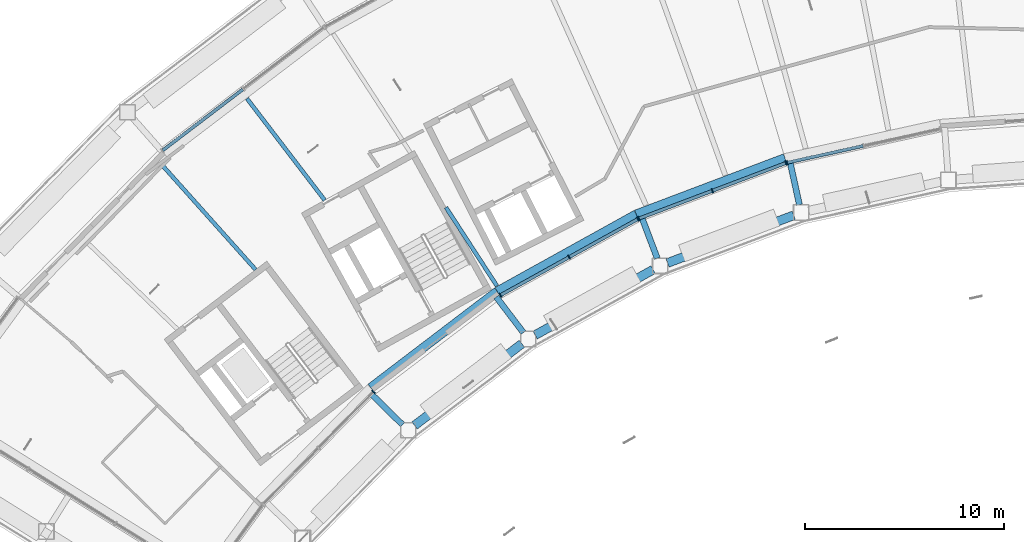
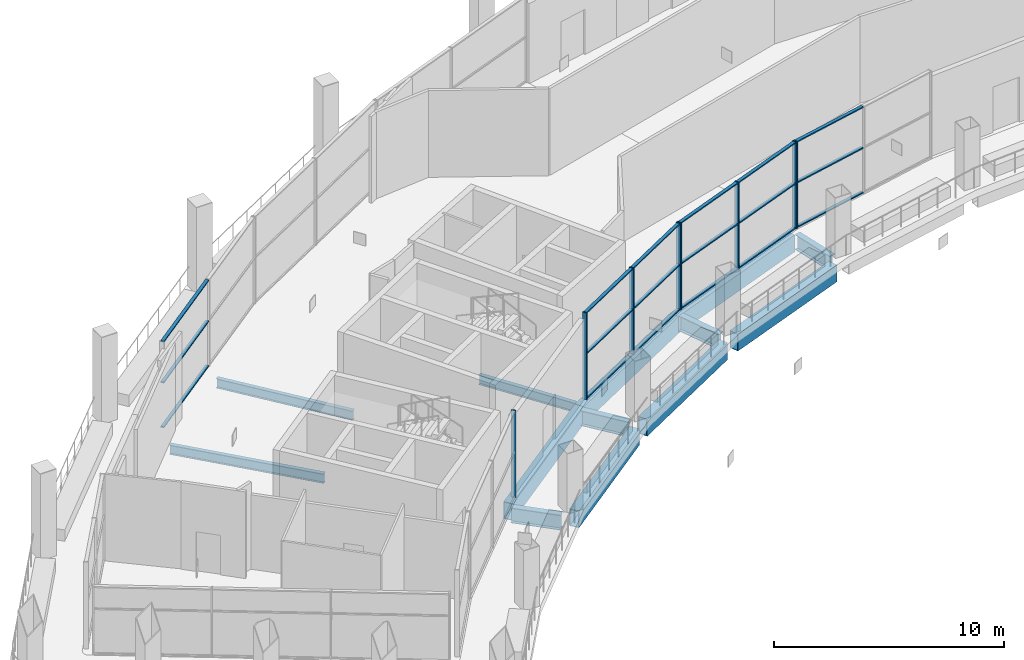
# One storey, part 4 of 29: 26 members, 13 beams, 5 elements without a shape of their own.
"""IFC4 building model written with IfcOpenShell, lengths in metres."""

from ifc_helpers import new_model, si_unit, direction, frame, origin, origin_2d, place, context, subcontext, project, spatial, rectangle, hollow_rectangle, i_section, extrude, material, layer, layer_set, material_profile, profile_set, type_object, element, aggregate, save


model = new_model("IFC4")

# Units and contexts
model_context = context("Model", 3, precision=1e-05, world=origin(), true_north=direction((0.0, 1.0)))
body_context = subcontext(model_context, "Body", "Model", "MODEL_VIEW")
ifc_project = project(units=[si_unit("LENGTHUNIT", "METRE"), si_unit("AREAUNIT", "SQUARE_METRE"), si_unit("VOLUMEUNIT", "CUBIC_METRE"), si_unit("PLANEANGLEUNIT", "RADIAN"), si_unit("MASSUNIT", "GRAM", prefix="KILO")], contexts=[model_context])

# Site, building, storey
site_placement = place(None, origin())
site = spatial("IfcSite", under=ifc_project, at=site_placement, CompositionType="ELEMENT")
building_placement = place(site_placement, origin())
building = spatial("IfcBuilding", under=site, at=building_placement, Name="Tuul Gate Civic Tower", CompositionType="ELEMENT")
storey_placement = place(building_placement, frame((0.0, 0.0, 238.89990234375)))
storey = spatial("IfcBuildingStorey", under=building, at=storey_placement, Name="Sky garden level 2", CompositionType="ELEMENT", Elevation=238.89990234375)

# Curtain wall, member
ifc_material_1 = material(Name="Aluminium", Category="aluminium")
ifc_layer = layer(ifc_material_1, 0.199951171875)
ifc_layer_set = layer_set([ifc_layer], Name="Aluminium")
curtain_wall_type = type_object("IfcCurtainWallType", Name="Curtain wall CW3", PredefinedType="NOTDEFINED", material=ifc_layer_set)
curtain_wall_1_placement = place(storey_placement, origin())
curtain_wall_1 = element("IfcCurtainWall", 1, at=curtain_wall_1_placement, inside=storey, type_object=curtain_wall_type, Name="Curtain wall CW3", PredefinedType="NOTDEFINED")
ifc_material_2 = material(Name="Aluminium", Category="aluminium")
ifc_material_profile_1 = material_profile(ifc_material_2, rectangle(XDim=0.219970703125, YDim=0.06005859375, at=origin_2d()), Name="CW3 mullion")
ifc_profile_set_1 = profile_set([ifc_material_profile_1], Name="Aluminium")
member_type_1 = type_object("IfcMemberType", Name="CW3 mullion", PredefinedType="MULLION", material=ifc_profile_set_1)
member_1_placement = place(storey_placement, frame((-30.572998046875, -14.00439453125, 0.0), z_axis=(0.0, 0.0, 1.0), x_axis=(-0.714099902117, 0.700043805627, 0.0)))
member_1 = element("IfcMember", 2, at=member_1_placement, type_object=member_type_1, Name="Mullion", PredefinedType="MULLION", context=body_context, shape_type="SweptSolid", body=[
    extrude(rectangle(XDim=0.219970703125, YDim=0.06005859375, at=origin_2d()), origin(), (0.0, 0.0, 1.0), 4.60009765625),
])
aggregate(curtain_wall_1, [member_1])

# Curtain wall, members
curtain_wall_2_placement = place(storey_placement, origin())
curtain_wall_2 = element("IfcCurtainWall", 3, at=curtain_wall_2_placement, inside=storey, type_object=curtain_wall_type, Name="Curtain wall CW3", PredefinedType="NOTDEFINED")
member_2_placement = place(storey_placement, frame((-24.185791015625, -9.141357421875, 0.0), z_axis=(0.0, 0.0, 1.0), x_axis=(-0.484811561479, 0.874618631094, 0.0)))
member_2 = element("IfcMember", 4, at=member_2_placement, type_object=member_type_1, Name="Mullion", PredefinedType="MULLION", context=body_context, shape_type="SweptSolid", body=[
    extrude(rectangle(XDim=0.219970703125, YDim=0.06005859375, at=origin_2d()), origin(), (0.0, 0.0, 1.0), 4.60009765625),
])
member_3_placement = place(storey_placement, frame((-20.7275390625, -7.224609375, 0.0), z_axis=(0.0, 0.0, 1.0), x_axis=(-0.484811561479, 0.874618631094, 0.0)))
member_3 = element("IfcMember", 5, at=member_3_placement, type_object=member_type_1, Name="Mullion", PredefinedType="MULLION", context=body_context, shape_type="SweptSolid", body=[
    extrude(rectangle(XDim=0.219970703125, YDim=0.06005859375, at=origin_2d()), origin(), (0.0, 0.0, 1.0), 4.60009765625),
])
member_4_placement = place(storey_placement, frame((-17.269287109375, -5.3076171875, 0.0), z_axis=(0.0, 0.0, 1.0), x_axis=(-0.484811561479, 0.874618631094, 0.0)))
member_4 = element("IfcMember", 6, at=member_4_placement, type_object=member_type_1, Name="Mullion", PredefinedType="MULLION", context=body_context, shape_type="SweptSolid", body=[
    extrude(rectangle(XDim=0.219970703125, YDim=0.06005859375, at=origin_2d()), origin(), (0.0, 0.0, 1.0), 4.60009765625),
])

curtain_wall_3_placement = place(storey_placement, origin())
curtain_wall_3 = element("IfcCurtainWall", 7, at=curtain_wall_3_placement, inside=storey, type_object=curtain_wall_type, Name="Curtain wall CW3", PredefinedType="NOTDEFINED")
member_5_placement = place(storey_placement, frame((-17.21484375, -5.282470703125, 0.0), z_axis=(0.0, 0.0, 1.0), x_axis=(-0.353734858569, 0.935345738127, 0.0)))
member_5 = element("IfcMember", 8, at=member_5_placement, type_object=member_type_1, Name="Mullion", PredefinedType="MULLION", context=body_context, shape_type="SweptSolid", body=[
    extrude(rectangle(XDim=0.219970703125, YDim=0.06005859375, at=origin_2d()), origin(), (0.0, 0.0, 1.0), 4.60009765625),
])
member_6_placement = place(storey_placement, frame((-13.51611328125, -3.883544921875, 0.0), z_axis=(0.0, 0.0, 1.0), x_axis=(-0.353734858569, 0.935345738127, 0.0)))
member_6 = element("IfcMember", 9, at=member_6_placement, type_object=member_type_1, Name="Mullion", PredefinedType="MULLION", context=body_context, shape_type="SweptSolid", body=[
    extrude(rectangle(XDim=0.219970703125, YDim=0.06005859375, at=origin_2d()), origin(), (0.0, 0.0, 1.0), 4.60009765625),
])
member_7_placement = place(storey_placement, frame((-9.817138671875, -2.484619140625, 0.0), z_axis=(0.0, 0.0, 1.0), x_axis=(-0.353734858569, 0.935345738127, 0.0)))
member_7 = element("IfcMember", 10, at=member_7_placement, type_object=member_type_1, Name="Mullion", PredefinedType="MULLION", context=body_context, shape_type="SweptSolid", body=[
    extrude(rectangle(XDim=0.219970703125, YDim=0.06005859375, at=origin_2d()), origin(), (0.0, 0.0, 1.0), 4.60009765625),
])

# Curtain wall, member
curtain_wall_4_placement = place(storey_placement, origin())
curtain_wall_4 = element("IfcCurtainWall", 11, at=curtain_wall_4_placement, inside=storey, type_object=curtain_wall_type, Name="Curtain wall CW3", PredefinedType="NOTDEFINED")
member_8_placement = place(storey_placement, frame((-9.759765625, -2.467529296875, 0.0), z_axis=(0.0, 0.0, 1.0), x_axis=(-0.215242449721, 0.976560642171, 0.0)))
member_8 = element("IfcMember", 12, at=member_8_placement, type_object=member_type_1, Name="Mullion", PredefinedType="MULLION", context=body_context, shape_type="SweptSolid", body=[
    extrude(rectangle(XDim=0.219970703125, YDim=0.06005859375, at=origin_2d()), origin(), (0.0, 0.0, 1.0), 4.60009765625),
])

# Curtain wall, members
curtain_wall_5_placement = place(storey_placement, origin())
curtain_wall_5 = element("IfcCurtainWall", 13, at=curtain_wall_5_placement, inside=storey, type_object=curtain_wall_type, Name="Curtain wall CW3", PredefinedType="NOTDEFINED")
ifc_material_3 = material(Name="Aluminium", Category="aluminium")
ifc_material_profile_2 = material_profile(ifc_material_3, rectangle(XDim=0.159912109375, YDim=0.06005859375, at=origin_2d()), Name="CW3 transom")
ifc_profile_set_2 = profile_set([ifc_material_profile_2], Name="Aluminium")
member_type_2 = type_object("IfcMemberType", Name="CW3 transom", PredefinedType="USERDEFINED", material=ifc_profile_set_2)
member_9_placement = place(storey_placement, frame((-37.158935546875, 1.221923828125, 0.030029296875), z_axis=(-0.795625482413, -0.60578881777, 0.0), x_axis=(0.60578881777, -0.795625482413, 0.0)))
member_9 = element("IfcMember", 14, at=member_9_placement, type_object=member_type_2, Name="Transom", ObjectType="TRANSOM", PredefinedType="USERDEFINED", context=body_context, shape_type="SweptSolid", body=[
    extrude(rectangle(XDim=0.159912109375, YDim=0.06005859375, at=origin_2d()), origin(), (0.0, 0.0, 1.0), 5.060546875),
])
member_10_placement = place(storey_placement, frame((-37.158935546875, 1.221923828125, 2.400146484375), z_axis=(-0.795625482413, -0.60578881777, 0.0), x_axis=(0.60578881777, -0.795625482413, 0.0)))
member_10 = element("IfcMember", 15, at=member_10_placement, type_object=member_type_2, Name="Transom", ObjectType="TRANSOM", PredefinedType="USERDEFINED", context=body_context, shape_type="SweptSolid", body=[
    extrude(rectangle(XDim=0.159912109375, YDim=0.06005859375, at=origin_2d()), origin(), (0.0, 0.0, 1.0), 5.060546875),
])
member_11_placement = place(storey_placement, frame((-37.158935546875, 1.221923828125, 4.570068359375), z_axis=(-0.795625482413, -0.60578881777, 0.0), x_axis=(0.60578881777, -0.795625482413, 0.0)))
member_11 = element("IfcMember", 16, at=member_11_placement, type_object=member_type_2, Name="Transom", ObjectType="TRANSOM", PredefinedType="USERDEFINED", context=body_context, shape_type="SweptSolid", body=[
    extrude(rectangle(XDim=0.159912109375, YDim=0.06005859375, at=origin_2d()), origin(), (0.0, 0.0, 1.0), 5.060546875),
])
aggregate(curtain_wall_5, [member_9, member_10, member_11])

# Member
member_12_placement = place(storey_placement, frame((-24.159423828125, -9.126953125, 0.030029296875), z_axis=(0.874609372643, 0.484828263702, 0.0), x_axis=(-0.484828263702, 0.874609372643, 0.0)))
member_12 = element("IfcMember", 17, at=member_12_placement, type_object=member_type_2, Name="Transom", ObjectType="TRANSOM", PredefinedType="USERDEFINED", context=body_context, shape_type="SweptSolid", body=[
    extrude(rectangle(XDim=0.159912109375, YDim=0.06005859375, at=origin_2d()), origin(), (0.0, 0.0, 1.0), 3.89404296875),
])

member_13_placement = place(storey_placement, frame((-24.159423828125, -9.126953125, 2.400146484375), z_axis=(0.874609372643, 0.484828263702, 0.0), x_axis=(-0.484828263702, 0.874609372643, 0.0)))
member_13 = element("IfcMember", 18, at=member_13_placement, type_object=member_type_2, Name="Transom", ObjectType="TRANSOM", PredefinedType="USERDEFINED", context=body_context, shape_type="SweptSolid", body=[
    extrude(rectangle(XDim=0.159912109375, YDim=0.06005859375, at=origin_2d()), origin(), (0.0, 0.0, 1.0), 3.89404296875),
])

member_14_placement = place(storey_placement, frame((-24.159423828125, -9.126953125, 4.570068359375), z_axis=(0.874609372643, 0.484828263702, 0.0), x_axis=(-0.484828263702, 0.874609372643, 0.0)))
member_14 = element("IfcMember", 19, at=member_14_placement, type_object=member_type_2, Name="Transom", ObjectType="TRANSOM", PredefinedType="USERDEFINED", context=body_context, shape_type="SweptSolid", body=[
    extrude(rectangle(XDim=0.159912109375, YDim=0.06005859375, at=origin_2d()), origin(), (0.0, 0.0, 1.0), 3.89404296875),
])

member_15_placement = place(storey_placement, frame((-20.701171875, -7.2099609375, 0.030029296875), z_axis=(0.874609372643, 0.484828263702, 0.0), x_axis=(-0.484828263702, 0.874609372643, 0.0)))
member_15 = element("IfcMember", 20, at=member_15_placement, type_object=member_type_2, Name="Transom", ObjectType="TRANSOM", PredefinedType="USERDEFINED", context=body_context, shape_type="SweptSolid", body=[
    extrude(rectangle(XDim=0.159912109375, YDim=0.06005859375, at=origin_2d()), origin(), (0.0, 0.0, 1.0), 3.89404296875),
])

member_16_placement = place(storey_placement, frame((-20.701171875, -7.2099609375, 2.400146484375), z_axis=(0.874609372643, 0.484828263702, 0.0), x_axis=(-0.484828263702, 0.874609372643, 0.0)))
member_16 = element("IfcMember", 21, at=member_16_placement, type_object=member_type_2, Name="Transom", ObjectType="TRANSOM", PredefinedType="USERDEFINED", context=body_context, shape_type="SweptSolid", body=[
    extrude(rectangle(XDim=0.159912109375, YDim=0.06005859375, at=origin_2d()), origin(), (0.0, 0.0, 1.0), 3.89404296875),
])

member_17_placement = place(storey_placement, frame((-20.701171875, -7.2099609375, 4.570068359375), z_axis=(0.874609372643, 0.484828263702, 0.0), x_axis=(-0.484828263702, 0.874609372643, 0.0)))
member_17 = element("IfcMember", 22, at=member_17_placement, type_object=member_type_2, Name="Transom", ObjectType="TRANSOM", PredefinedType="USERDEFINED", context=body_context, shape_type="SweptSolid", body=[
    extrude(rectangle(XDim=0.159912109375, YDim=0.06005859375, at=origin_2d()), origin(), (0.0, 0.0, 1.0), 3.89404296875),
])

aggregate(curtain_wall_2, [member_2, member_3, member_4, member_12, member_13, member_14, member_15, member_16, member_17])

member_18_placement = place(storey_placement, frame((-17.186767578125, -5.271728515625, 0.030029296875), z_axis=(0.935344004623, 0.353739442268, 0.0), x_axis=(-0.353739442268, 0.935344004623, 0.0)))
member_18 = element("IfcMember", 23, at=member_18_placement, type_object=member_type_2, Name="Transom", ObjectType="TRANSOM", PredefinedType="USERDEFINED", context=body_context, shape_type="SweptSolid", body=[
    extrude(rectangle(XDim=0.159912109375, YDim=0.06005859375, at=origin_2d()), origin(), (0.0, 0.0, 1.0), 3.89453125),
])

member_19_placement = place(storey_placement, frame((-17.186767578125, -5.271728515625, 2.400146484375), z_axis=(0.935344004623, 0.353739442268, 0.0), x_axis=(-0.353739442268, 0.935344004623, 0.0)))
member_19 = element("IfcMember", 24, at=member_19_placement, type_object=member_type_2, Name="Transom", ObjectType="TRANSOM", PredefinedType="USERDEFINED", context=body_context, shape_type="SweptSolid", body=[
    extrude(rectangle(XDim=0.159912109375, YDim=0.06005859375, at=origin_2d()), origin(), (0.0, 0.0, 1.0), 3.89453125),
])

member_20_placement = place(storey_placement, frame((-17.186767578125, -5.271728515625, 4.570068359375), z_axis=(0.935344004623, 0.353739442268, 0.0), x_axis=(-0.353739442268, 0.935344004623, 0.0)))
member_20 = element("IfcMember", 25, at=member_20_placement, type_object=member_type_2, Name="Transom", ObjectType="TRANSOM", PredefinedType="USERDEFINED", context=body_context, shape_type="SweptSolid", body=[
    extrude(rectangle(XDim=0.159912109375, YDim=0.06005859375, at=origin_2d()), origin(), (0.0, 0.0, 1.0), 3.89453125),
])

member_21_placement = place(storey_placement, frame((-13.488037109375, -3.872802734375, 0.030029296875), z_axis=(0.935344004623, 0.353739442268, 0.0), x_axis=(-0.353739442268, 0.935344004623, 0.0)))
member_21 = element("IfcMember", 26, at=member_21_placement, type_object=member_type_2, Name="Transom", ObjectType="TRANSOM", PredefinedType="USERDEFINED", context=body_context, shape_type="SweptSolid", body=[
    extrude(rectangle(XDim=0.159912109375, YDim=0.06005859375, at=origin_2d()), origin(), (0.0, 0.0, 1.0), 3.89453125),
])

member_22_placement = place(storey_placement, frame((-13.488037109375, -3.872802734375, 2.400146484375), z_axis=(0.935344004623, 0.353739442268, 0.0), x_axis=(-0.353739442268, 0.935344004623, 0.0)))
member_22 = element("IfcMember", 27, at=member_22_placement, type_object=member_type_2, Name="Transom", ObjectType="TRANSOM", PredefinedType="USERDEFINED", context=body_context, shape_type="SweptSolid", body=[
    extrude(rectangle(XDim=0.159912109375, YDim=0.06005859375, at=origin_2d()), origin(), (0.0, 0.0, 1.0), 3.89453125),
])

member_23_placement = place(storey_placement, frame((-13.488037109375, -3.872802734375, 4.570068359375), z_axis=(0.935344004623, 0.353739442268, 0.0), x_axis=(-0.353739442268, 0.935344004623, 0.0)))
member_23 = element("IfcMember", 28, at=member_23_placement, type_object=member_type_2, Name="Transom", ObjectType="TRANSOM", PredefinedType="USERDEFINED", context=body_context, shape_type="SweptSolid", body=[
    extrude(rectangle(XDim=0.159912109375, YDim=0.06005859375, at=origin_2d()), origin(), (0.0, 0.0, 1.0), 3.89453125),
])

aggregate(curtain_wall_3, [member_5, member_6, member_7, member_18, member_19, member_20, member_21, member_22, member_23])

member_24_placement = place(storey_placement, frame((-9.73046875, -2.461181640625, 0.030029296875), z_axis=(0.976561771852, 0.215237324266, 0.0), x_axis=(-0.215237324266, 0.976561771852, 0.0)))
member_24 = element("IfcMember", 29, at=member_24_placement, type_object=member_type_2, Name="Transom", ObjectType="TRANSOM", PredefinedType="USERDEFINED", context=body_context, shape_type="SweptSolid", body=[
    extrude(rectangle(XDim=0.159912109375, YDim=0.06005859375, at=origin_2d()), origin(), (0.0, 0.0, 1.0), 3.89404296875),
])

member_25_placement = place(storey_placement, frame((-9.73046875, -2.461181640625, 2.400146484375), z_axis=(0.976561771852, 0.215237324266, 0.0), x_axis=(-0.215237324266, 0.976561771852, 0.0)))
member_25 = element("IfcMember", 30, at=member_25_placement, type_object=member_type_2, Name="Transom", ObjectType="TRANSOM", PredefinedType="USERDEFINED", context=body_context, shape_type="SweptSolid", body=[
    extrude(rectangle(XDim=0.159912109375, YDim=0.06005859375, at=origin_2d()), origin(), (0.0, 0.0, 1.0), 3.89404296875),
])

member_26_placement = place(storey_placement, frame((-9.73046875, -2.461181640625, 4.570068359375), z_axis=(0.976561771852, 0.215237324266, 0.0), x_axis=(-0.215237324266, 0.976561771852, 0.0)))
member_26 = element("IfcMember", 31, at=member_26_placement, type_object=member_type_2, Name="Transom", ObjectType="TRANSOM", PredefinedType="USERDEFINED", context=body_context, shape_type="SweptSolid", body=[
    extrude(rectangle(XDim=0.159912109375, YDim=0.06005859375, at=origin_2d()), origin(), (0.0, 0.0, 1.0), 3.89404296875),
])

aggregate(curtain_wall_4, [member_8, member_24, member_25, member_26])

# Beams
ifc_material_4 = material(Name="Steel S355", Category="steel")
ifc_material_profile_3 = material_profile(ifc_material_4, i_section(OverallWidth=0.199951171875, OverallDepth=0.5, WebThickness=0.010009765625, FlangeThickness=0.01611328125, at=origin_2d()), Name="PG500x200x10x16")
ifc_profile_set_3 = profile_set([ifc_material_profile_3], Name="Steel S355")
beam_type_1 = type_object("IfcBeamType", Name="STR-FLOOR BEAM-PG500x200x10x16", PredefinedType="BEAM", material=ifc_profile_set_3)
beam_1_placement = place(storey_placement, frame((-24.362548828125, -8.667724609375, -0.64990234375), z_axis=(-0.544611125414, 0.838688691992, 0.0), x_axis=(-0.838688691992, -0.544611125414, 0.0)))
element("IfcBeam", 32, at=beam_1_placement, inside=storey, type_object=beam_type_1, Name="Floor beam", PredefinedType="BEAM", context=body_context, shape_type="SweptSolid", body=[
    extrude(i_section(OverallWidth=0.199951171875, OverallDepth=0.5, WebThickness=0.010009765625, FlangeThickness=0.01611328125, at=origin_2d()), origin(), (0.0, 0.0, 1.0), 4.709716796875),
])
beam_2_placement = place(storey_placement, frame((-33.03369140625, -4.353515625, -0.64990234375), z_axis=(-0.607331809841, 0.794448281989, 0.0), x_axis=(-0.794448281989, -0.607331809841, 0.0)))
element("IfcBeam", 33, at=beam_2_placement, inside=storey, type_object=beam_type_1, Name="Floor beam", PredefinedType="BEAM", context=body_context, shape_type="SweptSolid", body=[
    extrude(i_section(OverallWidth=0.199951171875, OverallDepth=0.5, WebThickness=0.010009765625, FlangeThickness=0.01611328125, at=origin_2d()), origin(), (0.0, 0.0, 1.0), 6.43505859375),
])
beam_3_placement = place(storey_placement, frame((-36.5087890625, -7.8525390625, -0.64990234375), z_axis=(-0.66649601165, 0.745508595829, 0.0), x_axis=(-0.745508595829, -0.66649601165, 0.0)))
element("IfcBeam", 34, at=beam_3_placement, inside=storey, type_object=beam_type_1, Name="Floor beam", PredefinedType="BEAM", context=body_context, shape_type="SweptSolid", body=[
    extrude(i_section(OverallWidth=0.199951171875, OverallDepth=0.5, WebThickness=0.010009765625, FlangeThickness=0.01611328125, at=origin_2d()), origin(), (0.0, 0.0, 1.0), 7.069580078125),
])
ifc_material_5 = material(Name="Steel S355", Category="steel")
ifc_material_profile_4 = material_profile(ifc_material_5, i_section(OverallWidth=0.300048828125, OverallDepth=0.800048828125, WebThickness=0.013916015625, FlangeThickness=0.02490234375, at=origin_2d()), Name="PG800x300x14x25")
ifc_profile_set_4 = profile_set([ifc_material_profile_4], Name="Steel S355")
beam_type_2 = type_object("IfcBeamType", Name="STR-FLOOR BEAM-PG800x300x14x25", PredefinedType="BEAM", material=ifc_profile_set_4)
beam_4_placement = place(storey_placement, frame((-29.112548828125, -15.657958984375, -0.7998046875), z_axis=(-0.714124955806, 0.700018247973, 0.0), x_axis=(-0.700018247973, -0.714124955806, 0.0)))
element("IfcBeam", 35, at=beam_4_placement, inside=storey, type_object=beam_type_2, Name="Terrace beam", PredefinedType="BEAM", context=body_context, shape_type="SweptSolid", body=[
    extrude(i_section(OverallWidth=0.300048828125, OverallDepth=0.800048828125, WebThickness=0.013916015625, FlangeThickness=0.02490234375, at=origin_2d()), origin(), (0.0, 0.0, 1.0), 2.249755859375),
])
beam_5_placement = place(storey_placement, frame((-23.029296875, -11.020751953125, -0.7998046875), z_axis=(-0.605833988023, 0.795591087781, 0.0), x_axis=(-0.795591087781, -0.605833988023, 0.0)))
element("IfcBeam", 36, at=beam_5_placement, inside=storey, type_object=beam_type_2, Name="Terrace beam", PredefinedType="BEAM", context=body_context, shape_type="SweptSolid", body=[
    extrude(i_section(OverallWidth=0.300048828125, OverallDepth=0.800048828125, WebThickness=0.013916015625, FlangeThickness=0.02490234375, at=origin_2d()), origin(), (0.0, 0.0, 1.0), 2.250244140625),
])
for number, where, z_axis, x_axis, name in (
    (37, (-16.28857421875, -7.283935546875, -0.7998046875), (-0.353666379486, 0.935371633107, 0.0), (-0.935371633107, -0.353666379486, 0.0), "Terrace beam"),
    (38, (-9.132080078125, -4.582275390625, -0.7998046875), (-0.215230137516, 0.976563355807, 0.0), (-0.976563355807, -0.215230137516, 0.0), "Terrace beam"),
):
    element("IfcBeam", number, at=place(storey_placement, frame(where, z_axis=z_axis, x_axis=x_axis)), inside=storey, type_object=beam_type_2, Name=name, PredefinedType="BEAM", context=body_context, shape_type="SweptSolid", body=[
        extrude(i_section(OverallWidth=0.300048828125, OverallDepth=0.800048828125, WebThickness=0.013916015625, FlangeThickness=0.02490234375, at=origin_2d()), origin(), (0.0, 0.0, 1.0), 2.25048828125),
    ])
ifc_material_6 = material(Name="Steel S355", Category="steel")
ifc_material_profile_5 = material_profile(ifc_material_6, hollow_rectangle(XDim=0.449951171875, YDim=0.89990234375, WallThickness=0.02490234375, at=origin_2d()), Name="BOX900x450x25")
ifc_profile_set_5 = profile_set([ifc_material_profile_5], Name="Steel S355")
beam_type_3 = type_object("IfcBeamType", Name="STR-SPANDREL BEAM-BOX900x450x25", PredefinedType="BEAM", material=ifc_profile_set_5)
beam_6_placement = place(storey_placement, frame((-9.861328125, -2.233642578125, -0.849853515625), z_axis=(-0.935347904159, -0.353729131095, 0.0), x_axis=(0.353729131095, -0.935347904159, 0.0)))
element("IfcBeam", 39, at=beam_6_placement, inside=storey, type_object=beam_type_3, Name="Spandrel beam", PredefinedType="BEAM", context=body_context, shape_type="SweptSolid", body=[
    extrude(hollow_rectangle(XDim=0.449951171875, YDim=0.89990234375, WallThickness=0.02490234375, at=origin_2d()), origin(), (0.0, 0.0, 1.0), 8.0048828125),
])
beam_7_placement = place(storey_placement, frame((-17.3486328125, -5.065185546875, -0.849853515625), z_axis=(-0.874591409354, -0.484860667289, 0.0), x_axis=(0.484860667289, -0.874591409354, 0.0)))
element("IfcBeam", 40, at=beam_7_placement, inside=storey, type_object=beam_type_3, Name="Spandrel beam", PredefinedType="BEAM", context=body_context, shape_type="SweptSolid", body=[
    extrude(hollow_rectangle(XDim=0.449951171875, YDim=0.89990234375, WallThickness=0.02490234375, at=origin_2d()), origin(), (0.0, 0.0, 1.0), 8.004638671875),
])
beam_8_placement = place(storey_placement, frame((-24.349365234375, -8.9462890625, -0.849853515625), z_axis=(-0.795589936965, -0.60583549929, 0.0), x_axis=(0.60583549929, -0.795589936965, 0.0)))
element("IfcBeam", 41, at=beam_8_placement, inside=storey, type_object=beam_type_3, Name="Spandrel beam", PredefinedType="BEAM", context=body_context, shape_type="SweptSolid", body=[
    extrude(hollow_rectangle(XDim=0.449951171875, YDim=0.89990234375, WallThickness=0.02490234375, at=origin_2d()), origin(), (0.0, 0.0, 1.0), 8.00390625),
])
beam_9_placement = place(storey_placement, frame((-28.5087890625, -15.69580078125, -0.849853515625), z_axis=(0.79560909882, 0.605810334903, 0.0), x_axis=(-0.605810334903, 0.79560909882, 0.0)))
element("IfcBeam", 42, at=beam_9_placement, inside=storey, type_object=beam_type_3, Name="Terrace edge beam", PredefinedType="BEAM", context=body_context, shape_type="SweptSolid", body=[
    extrude(hollow_rectangle(XDim=0.449951171875, YDim=0.89990234375, WallThickness=0.02490234375, at=origin_2d()), origin(), (0.0, 0.0, 1.0), 6.791748046875),
])
beam_10_placement = place(storey_placement, frame((-22.437255859375, -11.14501953125, -0.849853515625), z_axis=(0.874611291259, 0.484824802585, 0.0), x_axis=(-0.484824802585, 0.874611291259, 0.0)))
element("IfcBeam", 43, at=beam_10_placement, inside=storey, type_object=beam_type_3, Name="Terrace edge beam", PredefinedType="BEAM", context=body_context, shape_type="SweptSolid", body=[
    extrude(hollow_rectangle(XDim=0.449951171875, YDim=0.89990234375, WallThickness=0.02490234375, at=origin_2d()), origin(), (0.0, 0.0, 1.0), 6.7919921875),
])
beam_11_placement = place(storey_placement, frame((-15.77294921875, -7.5166015625, -0.849853515625), z_axis=(0.935366946495, 0.353678774319, 0.0), x_axis=(-0.353678774319, 0.935366946495, 0.0)))
element("IfcBeam", 44, at=beam_11_placement, inside=storey, type_object=beam_type_3, Name="Terrace edge beam", PredefinedType="BEAM", context=body_context, shape_type="SweptSolid", body=[
    extrude(hollow_rectangle(XDim=0.449951171875, YDim=0.89990234375, WallThickness=0.02490234375, at=origin_2d()), origin(), (0.0, 0.0, 1.0), 6.791748046875),
])

save(model, "model.ifc")
